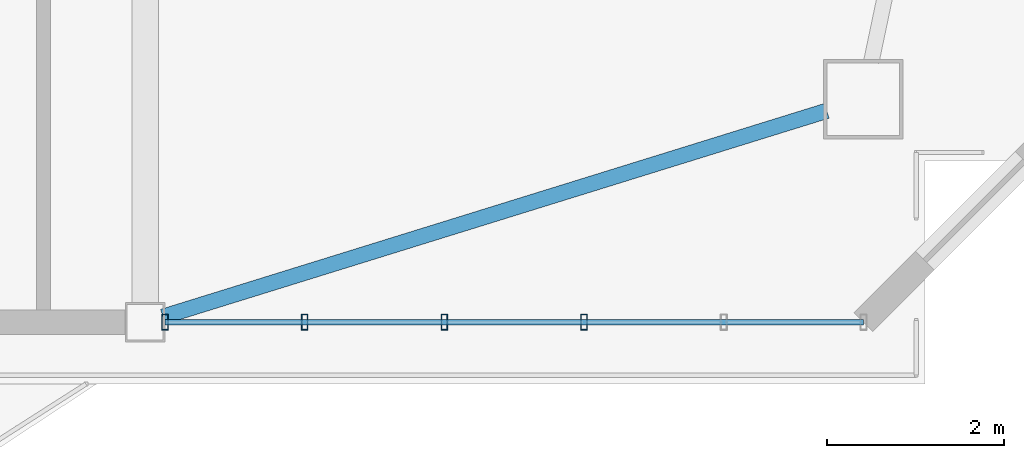
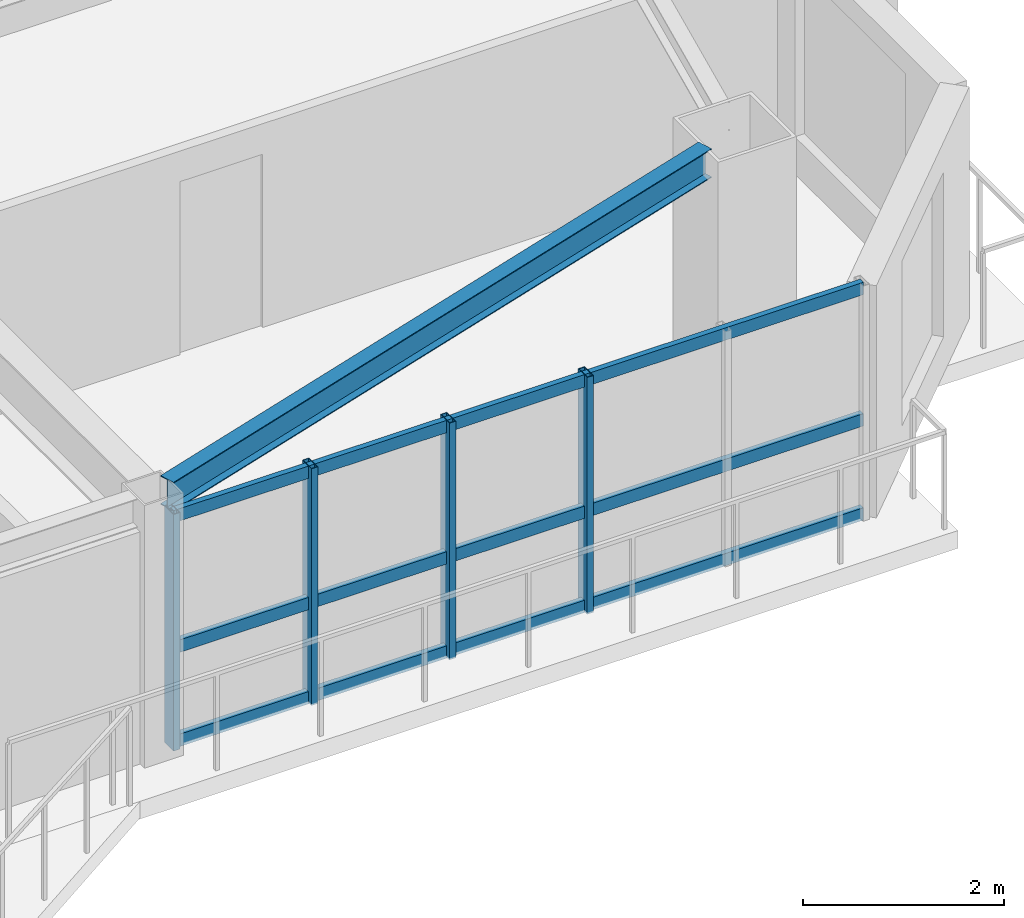
# One storey, part 4 of 17: 7 members, 1 beam, 1 element without a shape of its own.
"""IFC4 building model written with IfcOpenShell, lengths in metres."""

import ifcopenshell
import ifcopenshell.guid

model = None  # the IFC model being written
_history = None  # IfcOwnerHistory: only IFC2X3 demands one
_inside = {}  # id of a spatial element -> (the spatial element, [elements in it])
_under = {}  # id of a project, library or spatial element -> (it, [spatial elements below it])
_declared = {}  # id of a project -> (the project, [libraries it declares])
_typed = {}  # id of a type object -> (the type object, [elements of that type])
_made_of = {}  # id of a material, layer set ... -> (it, [elements and type objects made of it])


def new_model(schema):
    """Start an empty IFC model of exactly this schema.

    Asked for "IFC4X3", IfcOpenShell would pick the latest addendum, in which some entities
    have other attributes; the version numbers below select the first issue.
    IFC2X3 requires an IfcOwnerHistory on every rooted entity: one is made here for all.
    """
    global model, _history
    if schema == "IFC4X3":
        model = ifcopenshell.file(schema_version=(4, 3, 0, 0))
    else:
        model = ifcopenshell.file(schema=schema)
    _inside.clear()
    _under.clear()
    _declared.clear()
    _typed.clear()
    _made_of.clear()
    _history = None
    if model.schema == "IFC2X3":
        org = make("IfcOrganization", Name="unknown")
        user = make(
            "IfcPersonAndOrganization",
            ThePerson=make("IfcPerson", FamilyName="unknown"),
            TheOrganization=org,
        )
        app = make(
            "IfcApplication",
            ApplicationDeveloper=org,
            Version="unknown",
            ApplicationFullName="unknown",
            ApplicationIdentifier="unknown",
        )
        _history = make(
            "IfcOwnerHistory",
            OwningUser=user,
            OwningApplication=app,
            ChangeAction="ADDED",
            CreationDate=0,
        )
    return model


def make(cls, **values):
    """One entity of the class cls with the attributes given. An attribute that is None is left unset."""
    return model.create_entity(
        cls, **{name: value for name, value in values.items() if value is not None}
    )


def rooted(cls, **values):
    """An entity with a GlobalId (a new one), such as an element, a storey or a relation."""
    return make(cls, GlobalId=ifcopenshell.guid.new(), OwnerHistory=_history, **values)


def si_unit(unit_type, name, prefix=None):
    """IfcSIUnit, for example si_unit("LENGTHUNIT", "METRE", prefix="MILLI")."""
    return make("IfcSIUnit", UnitType=unit_type, Prefix=prefix, Name=name)


def assignment(units):
    """IfcUnitAssignment: the units of a project."""
    return None if units is None else make("IfcUnitAssignment", Units=units)


def point(xyz):
    """IfcCartesianPoint."""
    return None if xyz is None else make("IfcCartesianPoint", Coordinates=xyz)


def direction(xyz):
    """IfcDirection."""
    return None if xyz is None else make("IfcDirection", DirectionRatios=xyz)


def frame(location, z_axis=None, x_axis=None):
    """IfcAxis2Placement3D, a coordinate frame: its origin and axes. An axis left out is left unset."""
    return make(
        "IfcAxis2Placement3D",
        Location=point(location),
        Axis=direction(z_axis),
        RefDirection=direction(x_axis),
    )


def frame_2d(location, x_axis=None):
    """IfcAxis2Placement2D, a coordinate frame in the plane: its origin and x axis."""
    return make(
        "IfcAxis2Placement2D", Location=point(location), RefDirection=direction(x_axis)
    )


def origin():
    """The frame at (0, 0, 0) with its axes left unset."""
    return frame((0.0, 0.0, 0.0))


def origin_2d():
    """The frame at (0, 0) in the plane with its x axis left unset."""
    return frame_2d((0.0, 0.0))


def place(relative_to, where):
    """IfcLocalPlacement: puts the frame where relative to a parent placement (None: the world)."""
    return make(
        "IfcLocalPlacement", PlacementRelTo=relative_to, RelativePlacement=where
    )


def context(
    kind, dimensions, precision=None, world=None, true_north=None, identifier=None
):
    """IfcGeometricRepresentationContext, for example the 3D "Model" context."""
    return make(
        "IfcGeometricRepresentationContext",
        ContextIdentifier=identifier,
        ContextType=kind,
        CoordinateSpaceDimension=dimensions,
        Precision=precision,
        WorldCoordinateSystem=world,
        TrueNorth=true_north,
    )


def subcontext(parent, identifier, kind, view, scale=None):
    """IfcGeometricRepresentationSubContext, for example "Body" below "Model"."""
    return make(
        "IfcGeometricRepresentationSubContext",
        ContextIdentifier=identifier,
        ContextType=kind,
        ParentContext=parent,
        TargetScale=scale,
        TargetView=view,
    )


def project(units=None, contexts=None):
    """IfcProject with its units and contexts."""
    return rooted(
        "IfcProject",
        Name="project",
        RepresentationContexts=contexts,
        UnitsInContext=assignment(units),
    )


def spatial(cls, under=None, at=None, **own):
    """A site, building, storey or space (cls), placed at a placement, below another one or the project."""
    s = rooted(cls, ObjectPlacement=at, **own)
    if under is not None:
        _under.setdefault(under.id(), (under, []))[1].append(s)
    return s


def profile(cls, at=None, kind="AREA", **sizes):
    """A parametric profile (cls). Its sizes go by their IFC names, for example OverallWidth=200.0."""
    return make(cls, ProfileType=kind, Position=at, **sizes)


def hollow_rectangle(**sizes):
    """IfcRectangleHollowProfileDef."""
    return profile("IfcRectangleHollowProfileDef", **sizes)


def i_section(**sizes):
    """IfcIShapeProfileDef."""
    return profile("IfcIShapeProfileDef", **sizes)


def extrude(swept, where, along, depth):
    """IfcExtrudedAreaSolid: the profile swept, set in the frame where, extruded along a direction by depth."""
    return make(
        "IfcExtrudedAreaSolid",
        SweptArea=swept,
        Position=where,
        ExtrudedDirection=direction(along),
        Depth=depth,
    )


def shape(context_of_items, identifier, shape_type, items):
    """IfcShapeRepresentation: the items that make up one representation, for example the "Body"."""
    return make(
        "IfcShapeRepresentation",
        ContextOfItems=context_of_items,
        RepresentationIdentifier=identifier,
        RepresentationType=shape_type,
        Items=items,
    )


def source(mapping_origin, context_of_items, identifier, shape_type, items):
    """IfcRepresentationMap: a shape defined once, which mapped items show again and again."""
    return make(
        "IfcRepresentationMap",
        MappingOrigin=mapping_origin,
        MappedRepresentation=shape(context_of_items, identifier, shape_type, items),
    )


def transform(
    local_origin,
    x_axis=None,
    y_axis=None,
    z_axis=None,
    scale=None,
    scale2=None,
    scale3=None,
    uniform=True,
):
    """IfcCartesianTransformationOperator3D, or its non-uniform kind. x_axis, y_axis, z_axis: its Axis1, 2, 3."""
    if uniform:
        return make(
            "IfcCartesianTransformationOperator3D",
            Axis1=direction(x_axis),
            Axis2=direction(y_axis),
            LocalOrigin=point(local_origin),
            Scale=scale,
            Axis3=direction(z_axis),
        )
    return make(
        "IfcCartesianTransformationOperator3DnonUniform",
        Axis1=direction(x_axis),
        Axis2=direction(y_axis),
        LocalOrigin=point(local_origin),
        Scale=scale,
        Axis3=direction(z_axis),
        Scale2=scale2,
        Scale3=scale3,
    )


def mapped(mapping_source, mapping_target):
    """IfcMappedItem: shows the shape of a source again, moved by a transform."""
    return make(
        "IfcMappedItem", MappingSource=mapping_source, MappingTarget=mapping_target
    )


def material(Name=None, Category=None):
    """IfcMaterial."""
    return make("IfcMaterial", Name=Name, Category=Category)


def layer(
    of_material, thickness, ventilated=None, Name=None, Category=None, Priority=None
):
    """IfcMaterialLayer: one layer of a wall or slab, of a material (None: an air gap)."""
    return make(
        "IfcMaterialLayer",
        Material=of_material,
        LayerThickness=thickness,
        IsVentilated=ventilated,
        Name=Name,
        Category=Category,
        Priority=Priority,
    )


def layer_set(layers, Name=None):
    """IfcMaterialLayerSet."""
    return make("IfcMaterialLayerSet", MaterialLayers=layers, LayerSetName=Name)


def material_profile(
    of_material, cross_section, Name=None, Category=None, Priority=None
):
    """IfcMaterialProfile: a cross section and its material."""
    return make(
        "IfcMaterialProfile",
        Name=Name,
        Material=of_material,
        Profile=cross_section,
        Priority=Priority,
        Category=Category,
    )


def profile_set(profiles, Name=None, composite=None):
    """IfcMaterialProfileSet."""
    return make(
        "IfcMaterialProfileSet",
        Name=Name,
        MaterialProfiles=profiles,
        CompositeProfile=composite,
    )


def made_of(thing, what):
    """Note that an element or type object is made of a material, layer set ...; save() writes the relation."""
    if what is not None:
        _made_of.setdefault(what.id(), (what, []))[1].append(thing)
    return thing


def type_object(cls, material=None, **own):
    """A type object (cls), such as IfcWallType, which elements share."""
    return made_of(rooted(cls, **own), material)


def element(
    cls,
    number,
    at=None,
    inside=None,
    cuts=None,
    type_object=None,
    material=None,
    context=None,
    identifier="Body",
    shape_type=None,
    held_by="IfcProductDefinitionShape",
    body=None,
    shapes=None,
    **own,
):
    """One element of the class cls, such as IfcWall. Its Tag is "e" and its number.

    at: its placement. inside: the storey or other place that contains it. cuts: it is an
    opening in that element (IfcRelVoidsElement). A single representation is given by context,
    identifier, shape_type and body (its items); several are given by shapes. held_by: the class
    of the entity that holds the representations. save() writes the other relations.
    """
    e = rooted(cls, Tag="e%d" % number, ObjectPlacement=at, **own)
    if body is not None:
        shapes = [shape(context, identifier, shape_type, body)]
    if shapes is not None:
        e.Representation = make(held_by, Representations=shapes)
    if inside is not None:
        _inside.setdefault(inside.id(), (inside, []))[1].append(e)
    if cuts is not None:
        rooted(
            "IfcRelVoidsElement", RelatingBuildingElement=cuts, RelatedOpeningElement=e
        )
    if type_object is not None:
        _typed.setdefault(type_object.id(), (type_object, []))[1].append(e)
    return made_of(e, material)


def aggregate(whole, parts):
    """IfcRelAggregates: a whole, such as a stair, and the parts it consists of."""
    return rooted("IfcRelAggregates", RelatingObject=whole, RelatedObjects=parts)


def save(model, path):
    """Write the relations noted so far, then the file.

    IfcRelAggregates (storeys below a building ...), IfcRelContainedInSpatialStructure (elements
    in a storey), IfcRelDefinesByType, IfcRelAssociatesMaterial and IfcRelDeclares: one each for
    every whole, place, type object, material and project.
    """
    for whole, parts in _under.values():
        aggregate(whole, parts)
    for where, things in _inside.values():
        rooted(
            "IfcRelContainedInSpatialStructure",
            RelatedElements=things,
            RelatingStructure=where,
        )
    for kind, things in _typed.values():
        rooted("IfcRelDefinesByType", RelatedObjects=things, RelatingType=kind)
    for what, things in _made_of.values():
        rooted("IfcRelAssociatesMaterial", RelatedObjects=things, RelatingMaterial=what)
    for by, libraries in _declared.values():
        rooted("IfcRelDeclares", RelatingContext=by, RelatedDefinitions=libraries)
    model.write(path)


model = new_model("IFC4")

# Units and contexts
model_context = context("Model", 3, precision=1e-05, world=origin(), true_north=direction((0.0, 1.0)))
body_context = subcontext(model_context, "Body", "Model", "MODEL_VIEW")
ifc_project = project(units=[si_unit("LENGTHUNIT", "METRE"), si_unit("AREAUNIT", "SQUARE_METRE"), si_unit("VOLUMEUNIT", "CUBIC_METRE"), si_unit("PLANEANGLEUNIT", "RADIAN"), si_unit("MASSUNIT", "GRAM", prefix="KILO")], contexts=[model_context])

# Site, building, storey
site_placement = place(None, origin())
site = spatial("IfcSite", under=ifc_project, at=site_placement, CompositionType="ELEMENT")
building_placement = place(site_placement, origin())
building = spatial("IfcBuilding", under=site, at=building_placement, Name="Giltprow Tower", CompositionType="ELEMENT")
storey_placement = place(building_placement, frame((0.0, 0.0, 268.89990234375)))
storey = spatial("IfcBuildingStorey", under=building, at=storey_placement, Name="L69", CompositionType="ELEMENT", Elevation=268.89990234375)

# Beam
ifc_material_1 = material(Name="Structural steel Q355B", Category="steel")
ifc_material_profile_1 = material_profile(ifc_material_1, i_section(OverallWidth=0.175048828125, OverallDepth=0.35009765625, WebThickness=0.007080078125, FlangeThickness=0.010986328125, at=origin_2d()), Name="HN 350x175x7x11")
ifc_profile_set_1 = profile_set([ifc_material_profile_1], Name="Structural steel Q355B")
beam_type = type_object("IfcBeamType", Name="BM-SPAN-HN350", PredefinedType="SPANDREL", material=ifc_profile_set_1)
shared_shape_1 = source(origin(), body_context, "Body", "SweptSolid", [
    extrude(i_section(OverallWidth=0.175048828125, OverallDepth=0.35009765625, WebThickness=0.007080078125, FlangeThickness=0.010986328125, at=origin_2d()), origin(), (0.0, 0.0, 1.0), 7.871337890625),
])
beam_placement = place(storey_placement, frame((50.7509765625, 17.0380859375, 3.010009765625), z_axis=(0.95510590806, 0.296264585107, 0.0), x_axis=(-0.296264585107, 0.95510590806, 0.0)))
element("IfcBeam", 1, at=beam_placement, inside=storey, type_object=beam_type, Name="L69 Perimeter Spandrel Beam S4-MC_SE", PredefinedType="SPANDREL", context=body_context, shape_type="MappedRepresentation", body=[
    mapped(shared_shape_1, transform((0.0, 0.0, 0.0), x_axis=(1.0, 0.0, 0.0), y_axis=(0.0, 1.0, 0.0), z_axis=(0.0, 0.0, 1.0), scale=1.0)),
])

# Curtain wall, members
ifc_material_2 = material(Name="Anodized bronze", Category="metal")
ifc_layer = layer(ifc_material_2, 0.179931640625, Name="Anodized bronze")
ifc_layer_set = layer_set([ifc_layer], Name="Anodized bronze")
curtain_wall_type = type_object("IfcCurtainWallType", Name="CW-RES-SKY", PredefinedType="NOTDEFINED", material=ifc_layer_set)
curtain_wall_placement = place(storey_placement, origin())
curtain_wall = element("IfcCurtainWall", 2, at=curtain_wall_placement, inside=storey, type_object=curtain_wall_type, Name="L69 South Recessed Curtain Wall 6", PredefinedType="NOTDEFINED")
ifc_material_profile_2 = material_profile(ifc_material_2, hollow_rectangle(XDim=0.074951171875, YDim=0.179931640625, WallThickness=0.008056640625, at=origin_2d()), Name="RHS 180x75x8")
ifc_profile_set_2 = profile_set([ifc_material_profile_2], Name="Anodized bronze")
member_type_1 = type_object("IfcMemberType", Name="CW-MULLION-180x75", PredefinedType="MULLION", material=ifc_profile_set_2)
shared_shape_2 = source(origin(), body_context, "Body", "SweptSolid", [
    extrude(hollow_rectangle(XDim=0.074951171875, YDim=0.179931640625, WallThickness=0.008056640625, at=origin_2d()), origin(), (0.0, 0.0, 1.0), 2.8701171875),
])
member_1_placement = place(storey_placement, frame((50.77490234375, 16.97607421875, -0.02001953125), z_axis=(0.0, 0.0, 1.0), x_axis=(1.0, 0.0, 0.0)))
member_1 = element("IfcMember", 3, at=member_1_placement, type_object=member_type_1, Name="L69 South Recessed Curtain Wall 6 Mullion 1", PredefinedType="MULLION", context=body_context, shape_type="MappedRepresentation", body=[
    mapped(shared_shape_2, transform((0.0, 0.0, 0.0), x_axis=(1.0, 0.0, 0.0), y_axis=(0.0, 1.0, 0.0), z_axis=(0.0, 0.0, 1.0), scale=1.0)),
])
member_2_placement = place(storey_placement, frame((52.35693359375, 16.97607421875, -0.02001953125), z_axis=(0.0, 0.0, 1.0), x_axis=(1.0, 0.0, 0.0)))
member_2 = element("IfcMember", 4, at=member_2_placement, type_object=member_type_1, Name="L69 South Recessed Curtain Wall 6 Mullion 2", PredefinedType="MULLION", context=body_context, shape_type="MappedRepresentation", body=[
    mapped(shared_shape_2, transform((0.0, 0.0, 0.0), x_axis=(1.0, 0.0, 0.0), y_axis=(0.0, 1.0, 0.0), z_axis=(0.0, 0.0, 1.0), scale=1.0)),
])
member_3_placement = place(storey_placement, frame((53.93896484375, 16.97607421875, -0.02001953125), z_axis=(0.0, 0.0, 1.0), x_axis=(1.0, 0.0, 0.0)))
member_3 = element("IfcMember", 5, at=member_3_placement, type_object=member_type_1, Name="L69 South Recessed Curtain Wall 6 Mullion 3", PredefinedType="MULLION", context=body_context, shape_type="MappedRepresentation", body=[
    mapped(shared_shape_2, transform((0.0, 0.0, 0.0), x_axis=(1.0, 0.0, 0.0), y_axis=(0.0, 1.0, 0.0), z_axis=(0.0, 0.0, 1.0), scale=1.0)),
])
member_4_placement = place(storey_placement, frame((55.52001953125, 16.97607421875, -0.02001953125), z_axis=(0.0, 0.0, 1.0), x_axis=(1.0, 0.0, 0.0)))
member_4 = element("IfcMember", 6, at=member_4_placement, type_object=member_type_1, Name="L69 South Recessed Curtain Wall 6 Mullion 4", PredefinedType="MULLION", context=body_context, shape_type="MappedRepresentation", body=[
    mapped(shared_shape_2, transform((0.0, 0.0, 0.0), x_axis=(1.0, 0.0, 0.0), y_axis=(0.0, 1.0, 0.0), z_axis=(0.0, 0.0, 1.0), scale=1.0)),
])
ifc_material_profile_3 = material_profile(ifc_material_2, hollow_rectangle(XDim=0.06494140625, YDim=0.14990234375, WallThickness=0.006103515625, at=origin_2d()), Name="RHS 150x65x6")
ifc_profile_set_3 = profile_set([ifc_material_profile_3], Name="Anodized bronze")
member_type_2 = type_object("IfcMemberType", Name="CW-TRANSOM-150x65", PredefinedType="USERDEFINED", material=ifc_profile_set_3)
shared_shape_3 = source(origin(), body_context, "Body", "SweptSolid", [
    extrude(hollow_rectangle(XDim=0.06494140625, YDim=0.14990234375, WallThickness=0.006103515625, at=origin_2d()), origin(), (0.0, 0.0, 1.0), 7.9091796875),
])
member_5_placement = place(storey_placement, frame((50.77490234375, 16.97607421875, 0.0400390625), z_axis=(1.0, 0.0, 0.0), x_axis=(0.0, 1.0, 0.0)))
member_5 = element("IfcMember", 7, at=member_5_placement, type_object=member_type_2, Name="L69 South Recessed Curtain Wall 6 Transom 1", ObjectType="TRANSOM", PredefinedType="USERDEFINED", context=body_context, shape_type="MappedRepresentation", body=[
    mapped(shared_shape_3, transform((0.0, 0.0, 0.0), x_axis=(1.0, 0.0, 0.0), y_axis=(0.0, 1.0, 0.0), z_axis=(0.0, 0.0, 1.0), scale=1.0)),
])
member_6_placement = place(storey_placement, frame((50.77490234375, 16.97607421875, 1.18212890625), z_axis=(1.0, 0.0, 0.0), x_axis=(0.0, 1.0, 0.0)))
member_6 = element("IfcMember", 8, at=member_6_placement, type_object=member_type_2, Name="L69 South Recessed Curtain Wall 6 Transom 2", ObjectType="TRANSOM", PredefinedType="USERDEFINED", context=body_context, shape_type="MappedRepresentation", body=[
    mapped(shared_shape_3, transform((0.0, 0.0, 0.0), x_axis=(1.0, 0.0, 0.0), y_axis=(0.0, 1.0, 0.0), z_axis=(0.0, 0.0, 1.0), scale=1.0)),
])
member_7_placement = place(storey_placement, frame((50.77490234375, 16.97607421875, 2.775146484375), z_axis=(1.0, 0.0, 0.0), x_axis=(0.0, 1.0, 0.0)))
member_7 = element("IfcMember", 9, at=member_7_placement, type_object=member_type_2, Name="L69 South Recessed Curtain Wall 6 Transom 3", ObjectType="TRANSOM", PredefinedType="USERDEFINED", context=body_context, shape_type="MappedRepresentation", body=[
    mapped(shared_shape_3, transform((0.0, 0.0, 0.0), x_axis=(1.0, 0.0, 0.0), y_axis=(0.0, 1.0, 0.0), z_axis=(0.0, 0.0, 1.0), scale=1.0)),
])
aggregate(curtain_wall, [member_1, member_2, member_3, member_4, member_5, member_6, member_7])

save(model, "model.ifc")
